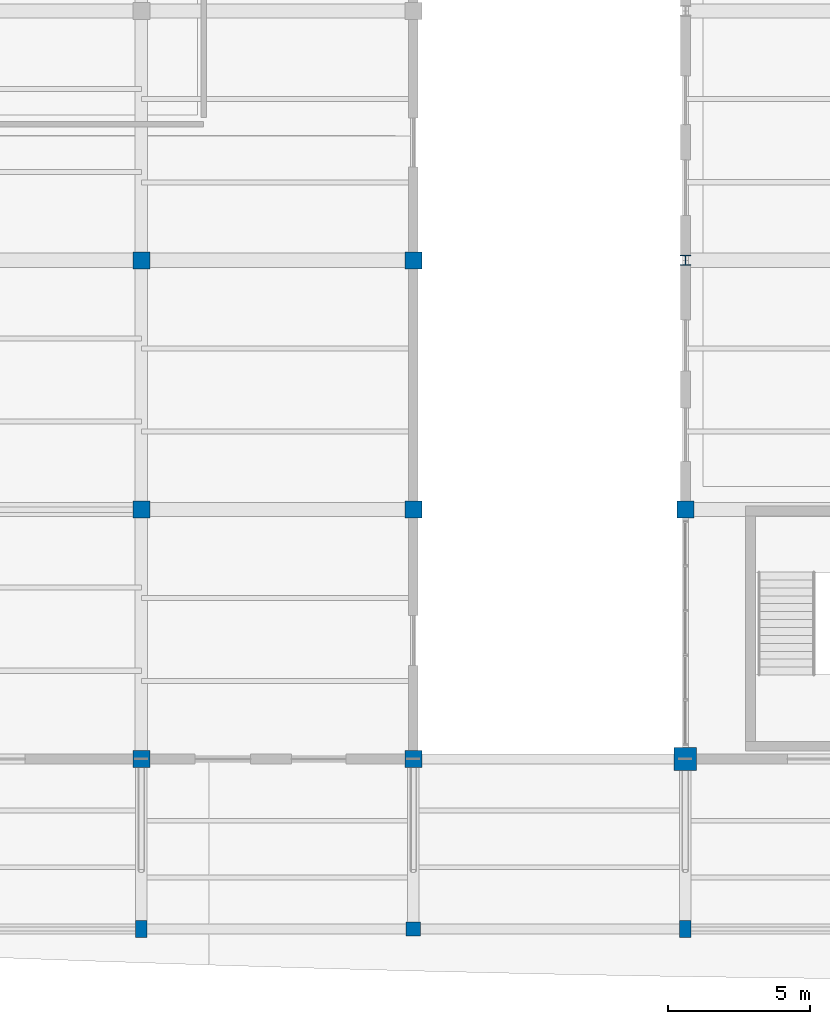
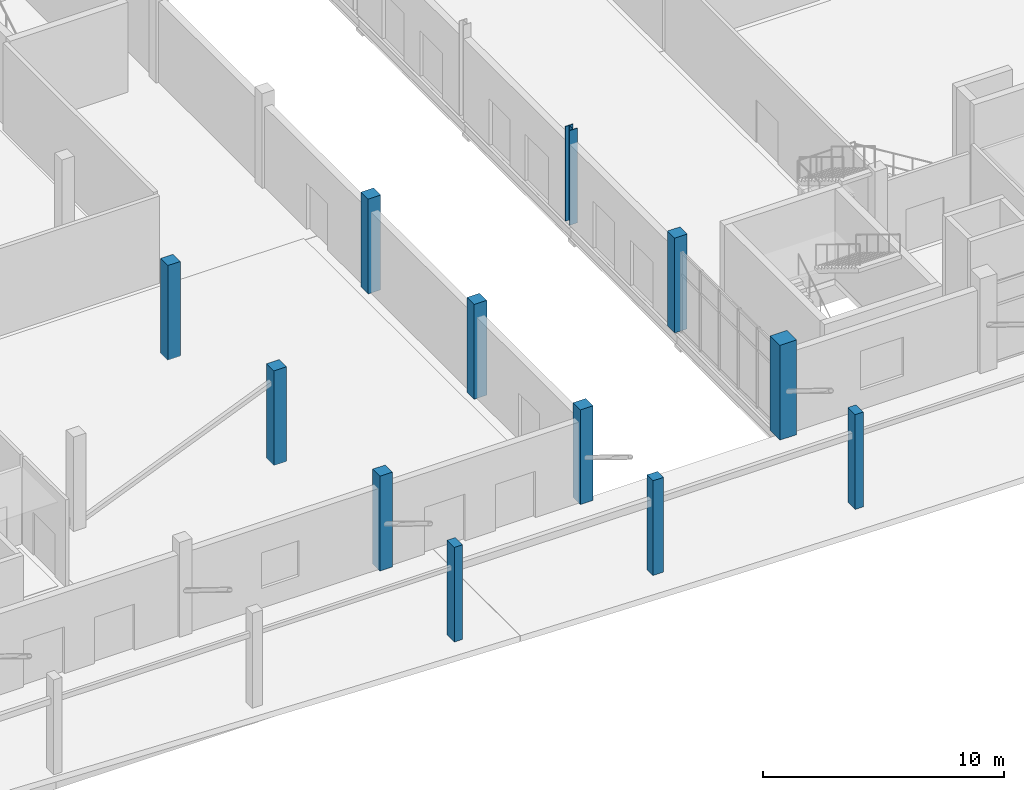
# One storey, part 2 of 116: 12 columns.
"""IFC4 building model written with IfcOpenShell, lengths in metres."""

import ifcopenshell
import ifcopenshell.guid

model = None  # the IFC model being written
_history = None  # IfcOwnerHistory: only IFC2X3 demands one
_inside = {}  # id of a spatial element -> (the spatial element, [elements in it])
_under = {}  # id of a project, library or spatial element -> (it, [spatial elements below it])
_declared = {}  # id of a project -> (the project, [libraries it declares])
_typed = {}  # id of a type object -> (the type object, [elements of that type])
_made_of = {}  # id of a material, layer set ... -> (it, [elements and type objects made of it])


def new_model(schema):
    """Start an empty IFC model of exactly this schema.

    Asked for "IFC4X3", IfcOpenShell would pick the latest addendum, in which some entities
    have other attributes; the version numbers below select the first issue.
    IFC2X3 requires an IfcOwnerHistory on every rooted entity: one is made here for all.
    """
    global model, _history
    if schema == "IFC4X3":
        model = ifcopenshell.file(schema_version=(4, 3, 0, 0))
    else:
        model = ifcopenshell.file(schema=schema)
    _inside.clear()
    _under.clear()
    _declared.clear()
    _typed.clear()
    _made_of.clear()
    _history = None
    if model.schema == "IFC2X3":
        org = make("IfcOrganization", Name="unknown")
        user = make(
            "IfcPersonAndOrganization",
            ThePerson=make("IfcPerson", FamilyName="unknown"),
            TheOrganization=org,
        )
        app = make(
            "IfcApplication",
            ApplicationDeveloper=org,
            Version="unknown",
            ApplicationFullName="unknown",
            ApplicationIdentifier="unknown",
        )
        _history = make(
            "IfcOwnerHistory",
            OwningUser=user,
            OwningApplication=app,
            ChangeAction="ADDED",
            CreationDate=0,
        )
    return model


def make(cls, **values):
    """One entity of the class cls with the attributes given. An attribute that is None is left unset."""
    return model.create_entity(
        cls, **{name: value for name, value in values.items() if value is not None}
    )


def rooted(cls, **values):
    """An entity with a GlobalId (a new one), such as an element, a storey or a relation."""
    return make(cls, GlobalId=ifcopenshell.guid.new(), OwnerHistory=_history, **values)


def si_unit(unit_type, name, prefix=None):
    """IfcSIUnit, for example si_unit("LENGTHUNIT", "METRE", prefix="MILLI")."""
    return make("IfcSIUnit", UnitType=unit_type, Prefix=prefix, Name=name)


def assignment(units):
    """IfcUnitAssignment: the units of a project."""
    return None if units is None else make("IfcUnitAssignment", Units=units)


def point(xyz):
    """IfcCartesianPoint."""
    return None if xyz is None else make("IfcCartesianPoint", Coordinates=xyz)


def direction(xyz):
    """IfcDirection."""
    return None if xyz is None else make("IfcDirection", DirectionRatios=xyz)


def frame(location, z_axis=None, x_axis=None):
    """IfcAxis2Placement3D, a coordinate frame: its origin and axes. An axis left out is left unset."""
    return make(
        "IfcAxis2Placement3D",
        Location=point(location),
        Axis=direction(z_axis),
        RefDirection=direction(x_axis),
    )


def frame_2d(location, x_axis=None):
    """IfcAxis2Placement2D, a coordinate frame in the plane: its origin and x axis."""
    return make(
        "IfcAxis2Placement2D", Location=point(location), RefDirection=direction(x_axis)
    )


def origin():
    """The frame at (0, 0, 0) with its axes left unset."""
    return frame((0.0, 0.0, 0.0))


def origin_2d():
    """The frame at (0, 0) in the plane with its x axis left unset."""
    return frame_2d((0.0, 0.0))


def place(relative_to, where):
    """IfcLocalPlacement: puts the frame where relative to a parent placement (None: the world)."""
    return make(
        "IfcLocalPlacement", PlacementRelTo=relative_to, RelativePlacement=where
    )


def context(
    kind, dimensions, precision=None, world=None, true_north=None, identifier=None
):
    """IfcGeometricRepresentationContext, for example the 3D "Model" context."""
    return make(
        "IfcGeometricRepresentationContext",
        ContextIdentifier=identifier,
        ContextType=kind,
        CoordinateSpaceDimension=dimensions,
        Precision=precision,
        WorldCoordinateSystem=world,
        TrueNorth=true_north,
    )


def subcontext(parent, identifier, kind, view, scale=None):
    """IfcGeometricRepresentationSubContext, for example "Body" below "Model"."""
    return make(
        "IfcGeometricRepresentationSubContext",
        ContextIdentifier=identifier,
        ContextType=kind,
        ParentContext=parent,
        TargetScale=scale,
        TargetView=view,
    )


def project(units=None, contexts=None):
    """IfcProject with its units and contexts."""
    return rooted(
        "IfcProject",
        Name="project",
        RepresentationContexts=contexts,
        UnitsInContext=assignment(units),
    )


def spatial(cls, under=None, at=None, **own):
    """A site, building, storey or space (cls), placed at a placement, below another one or the project."""
    s = rooted(cls, ObjectPlacement=at, **own)
    if under is not None:
        _under.setdefault(under.id(), (under, []))[1].append(s)
    return s


def profile(cls, at=None, kind="AREA", **sizes):
    """A parametric profile (cls). Its sizes go by their IFC names, for example OverallWidth=200.0."""
    return make(cls, ProfileType=kind, Position=at, **sizes)


def rectangle(**sizes):
    """IfcRectangleProfileDef."""
    return profile("IfcRectangleProfileDef", **sizes)


def i_section(**sizes):
    """IfcIShapeProfileDef."""
    return profile("IfcIShapeProfileDef", **sizes)


def extrude(swept, where, along, depth):
    """IfcExtrudedAreaSolid: the profile swept, set in the frame where, extruded along a direction by depth."""
    return make(
        "IfcExtrudedAreaSolid",
        SweptArea=swept,
        Position=where,
        ExtrudedDirection=direction(along),
        Depth=depth,
    )


def shape(context_of_items, identifier, shape_type, items):
    """IfcShapeRepresentation: the items that make up one representation, for example the "Body"."""
    return make(
        "IfcShapeRepresentation",
        ContextOfItems=context_of_items,
        RepresentationIdentifier=identifier,
        RepresentationType=shape_type,
        Items=items,
    )


def material(Name=None, Category=None):
    """IfcMaterial."""
    return make("IfcMaterial", Name=Name, Category=Category)


def material_profile(
    of_material, cross_section, Name=None, Category=None, Priority=None
):
    """IfcMaterialProfile: a cross section and its material."""
    return make(
        "IfcMaterialProfile",
        Name=Name,
        Material=of_material,
        Profile=cross_section,
        Priority=Priority,
        Category=Category,
    )


def profile_set(profiles, Name=None, composite=None):
    """IfcMaterialProfileSet."""
    return make(
        "IfcMaterialProfileSet",
        Name=Name,
        MaterialProfiles=profiles,
        CompositeProfile=composite,
    )


def made_of(thing, what):
    """Note that an element or type object is made of a material, layer set ...; save() writes the relation."""
    if what is not None:
        _made_of.setdefault(what.id(), (what, []))[1].append(thing)
    return thing


def type_object(cls, material=None, **own):
    """A type object (cls), such as IfcWallType, which elements share."""
    return made_of(rooted(cls, **own), material)


def element(
    cls,
    number,
    at=None,
    inside=None,
    cuts=None,
    type_object=None,
    material=None,
    context=None,
    identifier="Body",
    shape_type=None,
    held_by="IfcProductDefinitionShape",
    body=None,
    shapes=None,
    **own,
):
    """One element of the class cls, such as IfcWall. Its Tag is "e" and its number.

    at: its placement. inside: the storey or other place that contains it. cuts: it is an
    opening in that element (IfcRelVoidsElement). A single representation is given by context,
    identifier, shape_type and body (its items); several are given by shapes. held_by: the class
    of the entity that holds the representations. save() writes the other relations.
    """
    e = rooted(cls, Tag="e%d" % number, ObjectPlacement=at, **own)
    if body is not None:
        shapes = [shape(context, identifier, shape_type, body)]
    if shapes is not None:
        e.Representation = make(held_by, Representations=shapes)
    if inside is not None:
        _inside.setdefault(inside.id(), (inside, []))[1].append(e)
    if cuts is not None:
        rooted(
            "IfcRelVoidsElement", RelatingBuildingElement=cuts, RelatedOpeningElement=e
        )
    if type_object is not None:
        _typed.setdefault(type_object.id(), (type_object, []))[1].append(e)
    return made_of(e, material)


def aggregate(whole, parts):
    """IfcRelAggregates: a whole, such as a stair, and the parts it consists of."""
    return rooted("IfcRelAggregates", RelatingObject=whole, RelatedObjects=parts)


def save(model, path):
    """Write the relations noted so far, then the file.

    IfcRelAggregates (storeys below a building ...), IfcRelContainedInSpatialStructure (elements
    in a storey), IfcRelDefinesByType, IfcRelAssociatesMaterial and IfcRelDeclares: one each for
    every whole, place, type object, material and project.
    """
    for whole, parts in _under.values():
        aggregate(whole, parts)
    for where, things in _inside.values():
        rooted(
            "IfcRelContainedInSpatialStructure",
            RelatedElements=things,
            RelatingStructure=where,
        )
    for kind, things in _typed.values():
        rooted("IfcRelDefinesByType", RelatedObjects=things, RelatingType=kind)
    for what, things in _made_of.values():
        rooted("IfcRelAssociatesMaterial", RelatedObjects=things, RelatingMaterial=what)
    for by, libraries in _declared.values():
        rooted("IfcRelDeclares", RelatingContext=by, RelatedDefinitions=libraries)
    model.write(path)


model = new_model("IFC4")

# Units and contexts
model_context = context("Model", 3, precision=1e-05, world=origin(), true_north=direction((0.0, 1.0)))
body_context = subcontext(model_context, "Body", "Model", "MODEL_VIEW")
ifc_project = project(units=[si_unit("LENGTHUNIT", "METRE"), si_unit("AREAUNIT", "SQUARE_METRE"), si_unit("VOLUMEUNIT", "CUBIC_METRE"), si_unit("PLANEANGLEUNIT", "RADIAN"), si_unit("MASSUNIT", "GRAM", prefix="KILO")], contexts=[model_context])

# Site, building, storey
site_placement = place(None, origin())
site = spatial("IfcSite", under=ifc_project, at=site_placement, CompositionType="ELEMENT")
building_placement = place(site_placement, origin())
building = spatial("IfcBuilding", under=site, at=building_placement, Name="Chalmorin Arch Market", CompositionType="ELEMENT")
storey_placement = place(building_placement, origin())
storey = spatial("IfcBuildingStorey", under=building, at=storey_placement, Name="L00", CompositionType="ELEMENT", Elevation=0.0)

# Columns
ifc_material_1 = material(Name="Concrete C50/60", Category="concrete")
ifc_material_profile_1 = material_profile(ifc_material_1, rectangle(XDim=0.800048828125, YDim=0.800048828125, at=origin_2d()), Name="RC800X800")
ifc_profile_set_1 = profile_set([ifc_material_profile_1], Name="Concrete C50/60")
column_type_1 = type_object("IfcColumnType", Name="ArchPierColumn-800x800", PredefinedType="COLUMN", material=ifc_profile_set_1)
column_1_placement = place(storey_placement, frame((48.0, 6.0, 0.0), z_axis=(0.0, 0.0, 1.0), x_axis=(1.0, 0.0, 0.0)))
element("IfcColumn", 1, at=column_1_placement, inside=storey, type_object=column_type_1, Name="C-AP1-191", PredefinedType="COLUMN", context=body_context, shape_type="SweptSolid", body=[
    extrude(rectangle(XDim=0.800048828125, YDim=0.800048828125, at=origin_2d()), origin(), (0.0, 0.0, 1.0), 4.800048828125),
])
ifc_material_2 = material(Name="Concrete C40/50", Category="concrete")
ifc_material_profile_2 = material_profile(ifc_material_2, rectangle(XDim=0.5, YDim=0.5, at=origin_2d()), Name="RC500X500")
ifc_profile_set_2 = profile_set([ifc_material_profile_2], Name="Concrete C40/50")
column_type_2 = type_object("IfcColumnType", Name="ColonnadePilaster-500x500", PredefinedType="PILASTER", material=ifc_profile_set_2)
column_2_placement = place(storey_placement, frame((38.39990234375, 0.0, 0.0), z_axis=(0.0, 0.0, 1.0), x_axis=(1.0, 0.0, 0.0)))
element("IfcColumn", 2, at=column_2_placement, inside=storey, type_object=column_type_2, Name="CP-01-152", PredefinedType="PILASTER", context=body_context, shape_type="SweptSolid", body=[
    extrude(rectangle(XDim=0.5, YDim=0.5, at=origin_2d()), origin(), (0.0, 0.0, 1.0), 4.800048828125),
])
ifc_material_profile_3 = material_profile(ifc_material_2, rectangle(XDim=0.60009765625, YDim=0.60009765625, at=origin_2d()), Name="RC600X600")
ifc_profile_set_3 = profile_set([ifc_material_profile_3], Name="Concrete C40/50")
column_type_3 = type_object("IfcColumnType", Name="InteriorConcreteColumn-600x600", PredefinedType="COLUMN", material=ifc_profile_set_3)
for number, where, z_axis, x_axis, name in (
    (3, (28.800048828125, 6.0, 0.0), (0.0, 0.0, 1.0), (1.0, 0.0, 0.0), "C-RC2-117"),
    (4, (28.800048828125, 14.800048828125, 0.0), (0.0, 0.0, 1.0), (1.0, 0.0, 0.0), "C-RC2-120"),
    (5, (28.800048828125, 23.60009765625, 0.0), (0.0, 0.0, 1.0), (1.0, 0.0, 0.0), "C-RC2-124"),
    (6, (38.39990234375, 6.0, 0.0), (0.0, 0.0, 1.0), (1.0, 0.0, 0.0), "C-RC2-154"),
    (7, (38.39990234375, 14.800048828125, 0.0), (0.0, 0.0, 1.0), (1.0, 0.0, 0.0), "C-RC2-157"),
    (8, (38.39990234375, 23.60009765625, 0.0), (0.0, 0.0, 1.0), (1.0, 0.0, 0.0), "C-RC2-161"),
    (9, (48.0, 14.800048828125, 0.0), (0.0, 0.0, 1.0), (1.0, 0.0, 0.0), "C-RC2-196"),
):
    element("IfcColumn", number, at=place(storey_placement, frame(where, z_axis=z_axis, x_axis=x_axis)), inside=storey, type_object=column_type_3, Name=name, PredefinedType="COLUMN", context=body_context, shape_type="SweptSolid", body=[
        extrude(rectangle(XDim=0.60009765625, YDim=0.60009765625, at=origin_2d()), origin(), (0.0, 0.0, 1.0), 4.800048828125),
    ])
ifc_material_profile_4 = material_profile(ifc_material_2, rectangle(XDim=0.39990234375, YDim=0.60009765625, at=origin_2d()), Name="RC400X600")
ifc_profile_set_4 = profile_set([ifc_material_profile_4], Name="Concrete C40/50")
column_type_4 = type_object("IfcColumnType", Name="PromenadePilaster-400x600", PredefinedType="PILASTER", material=ifc_profile_set_4)
for number, where, z_axis, x_axis, name in (
    (10, (28.800048828125, 0.0, 0.0), (0.0, 0.0, 1.0), (1.0, 0.0, 0.0), "CP-02-115"),
    (11, (48.0, 0.0, 0.0), (0.0, 0.0, 1.0), (1.0, 0.0, 0.0), "CP-02-189"),
):
    element("IfcColumn", number, at=place(storey_placement, frame(where, z_axis=z_axis, x_axis=x_axis)), inside=storey, type_object=column_type_4, Name=name, PredefinedType="PILASTER", context=body_context, shape_type="SweptSolid", body=[
        extrude(rectangle(XDim=0.39990234375, YDim=0.60009765625, at=origin_2d()), origin(), (0.0, 0.0, 1.0), 4.800048828125),
    ])
ifc_material_3 = material(Name="Steel A992 Grade 50", Category="steel")
ifc_material_profile_5 = material_profile(ifc_material_3, i_section(OverallWidth=0.367919921875, OverallDepth=0.367919921875, WebThickness=0.014892578125, FlangeThickness=0.02392578125, FilletRadius=0.02490234375, at=origin_2d()), Name="W14X120")
ifc_profile_set_5 = profile_set([ifc_material_profile_5], Name="Steel A992 Grade 50")
column_type_5 = type_object("IfcColumnType", Name="WideFlangeColumn-W14X120", PredefinedType="COLUMN", material=ifc_profile_set_5)
column_3_placement = place(storey_placement, frame((48.0, 23.60009765625, 0.0), z_axis=(0.0, 0.0, 1.0), x_axis=(1.0, 0.0, 0.0)))
element("IfcColumn", 12, at=column_3_placement, inside=storey, type_object=column_type_5, Name="C-ST1-201", PredefinedType="COLUMN", context=body_context, shape_type="SweptSolid", body=[
    extrude(i_section(OverallWidth=0.367919921875, OverallDepth=0.367919921875, WebThickness=0.014892578125, FlangeThickness=0.02392578125, FilletRadius=0.02490234375, at=origin_2d()), origin(), (0.0, 0.0, 1.0), 4.800048828125),
])

save(model, "model.ifc")
